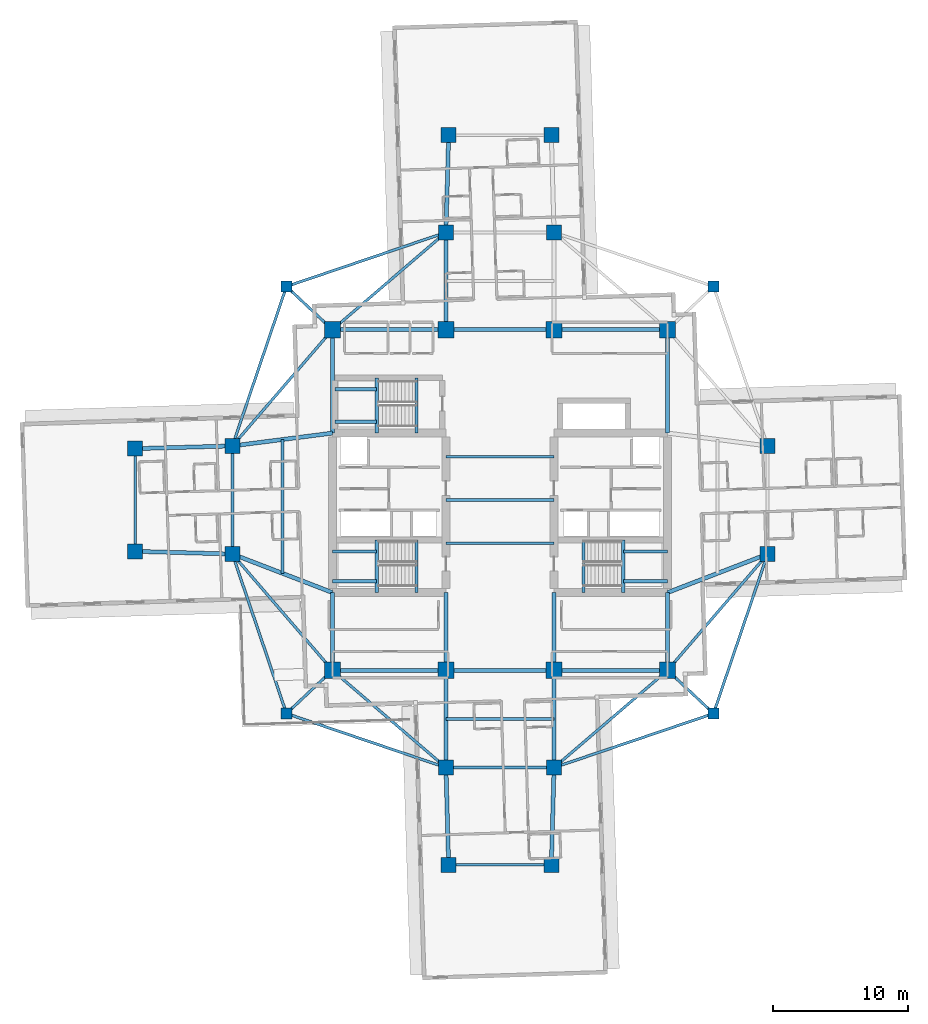
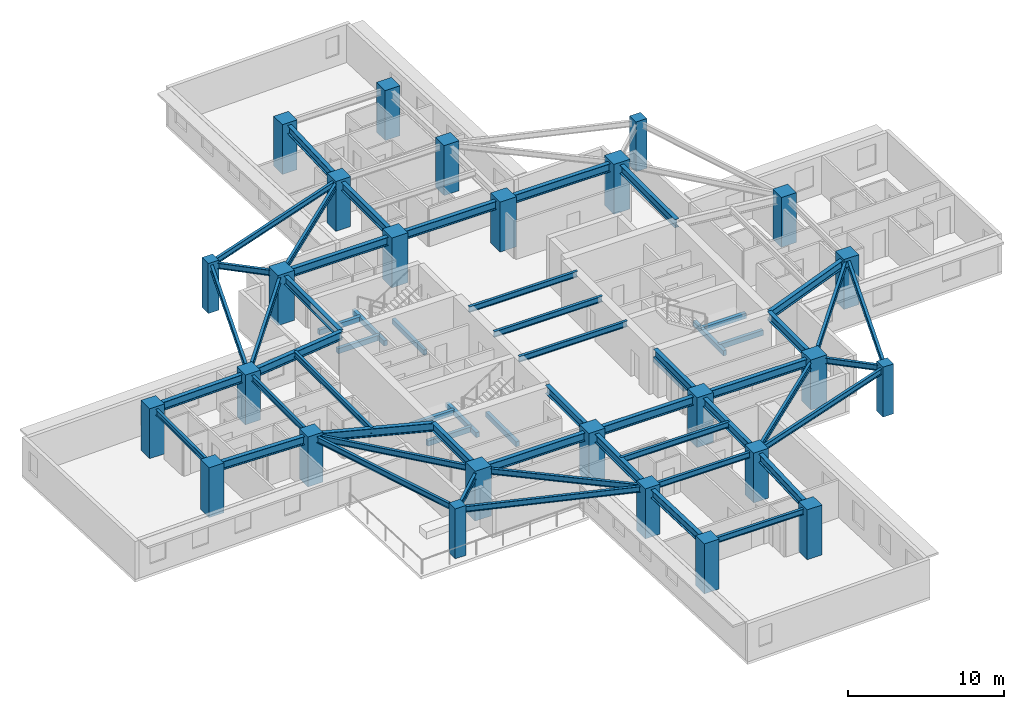
# One storey, part 1 of 14: 59 beams, 26 columns.
"""IFC4 building model written with IfcOpenShell, lengths in metres."""

from ifc_helpers import new_model, si_unit, direction, frame, origin, origin_2d, place, context, subcontext, project, spatial, rectangle, i_section, extrude, material, material_profile, profile_set, type_object, element, save


model = new_model("IFC4")

# Units and contexts
model_context = context("Model", 3, precision=1e-05, world=origin(), true_north=direction((0.0, 1.0)))
body_context = subcontext(model_context, "Body", "Model", "MODEL_VIEW")
ifc_project = project(units=[si_unit("LENGTHUNIT", "METRE"), si_unit("AREAUNIT", "SQUARE_METRE"), si_unit("VOLUMEUNIT", "CUBIC_METRE"), si_unit("PLANEANGLEUNIT", "RADIAN"), si_unit("MASSUNIT", "GRAM", prefix="KILO")], contexts=[model_context])

# Site, building, storey
site_placement = place(None, origin())
site = spatial("IfcSite", under=ifc_project, at=site_placement, CompositionType="ELEMENT")
building_placement = place(site_placement, origin())
building = spatial("IfcBuilding", under=site, at=building_placement, Name="Qingluan Cross Belvedere", CompositionType="ELEMENT")
storey_placement = place(building_placement, frame((0.0, 0.0, 112.5)))
storey = spatial("IfcBuildingStorey", under=building, at=storey_placement, Name="L28", CompositionType="ELEMENT", Elevation=112.5)

# Columns
ifc_material_1 = material(Name="Concrete C60", Category="concrete")
ifc_material_profile_1 = material_profile(ifc_material_1, rectangle(XDim=1.10009765625, YDim=1.10009765625, at=origin_2d()), Name="RC1100x1100")
ifc_profile_set_1 = profile_set([ifc_material_profile_1], Name="Concrete C60")
column_type_1 = type_object("IfcColumnType", Name="Column_RC1100x1100", PredefinedType="COLUMN", material=ifc_profile_set_1)
for number, where, z_axis, x_axis, name in (
    (1, (19.800048828125, -4.0, 0.0), (0.0, 0.0, 1.0), (1.0, 0.0, 0.0), "Arm column L28-EIA"),
    (2, (19.800048828125, 4.0, 0.0), (0.0, 0.0, 1.0), (1.0, 0.0, 0.0), "Arm column L28-EIB"),
    (3, (-19.800048828125, -4.0, 0.0), (0.0, 0.0, 1.0), (1.0, 0.0, 0.0), "Arm column L28-WIA"),
    (4, (-19.800048828125, 4.0, 0.0), (0.0, 0.0, 1.0), (1.0, 0.0, 0.0), "Arm column L28-WIB"),
    (5, (-4.0, -19.800048828125, 0.0), (0.0, 0.0, 1.0), (1.0, 0.0, 0.0), "Arm column L28-SIA"),
    (6, (4.0, -19.800048828125, 0.0), (0.0, 0.0, 1.0), (1.0, 0.0, 0.0), "Arm column L28-SIB"),
    (7, (-4.0, 19.800048828125, 0.0), (0.0, 0.0, 1.0), (1.0, 0.0, 0.0), "Arm column L28-NIA"),
    (8, (4.0, 19.800048828125, 0.0), (0.0, 0.0, 1.0), (1.0, 0.0, 0.0), "Arm column L28-NIB"),
    (9, (-27.0, -3.800048828125, 0.0), (0.0, 0.0, 1.0), (1.0, 0.0, 0.0), "Arm column L28-WOA"),
    (10, (-27.0, 3.800048828125, 0.0), (0.0, 0.0, 1.0), (1.0, 0.0, 0.0), "Arm column L28-WOB"),
    (11, (-3.800048828125, -27.0, 0.0), (0.0, 0.0, 1.0), (1.0, 0.0, 0.0), "Arm column L28-SOA"),
    (12, (3.800048828125, -27.0, 0.0), (0.0, 0.0, 1.0), (1.0, 0.0, 0.0), "Arm column L28-SOB"),
    (13, (-3.800048828125, 27.0, 0.0), (0.0, 0.0, 1.0), (1.0, 0.0, 0.0), "Arm column L28-NOA"),
    (14, (3.800048828125, 27.0, 0.0), (0.0, 0.0, 1.0), (1.0, 0.0, 0.0), "Arm column L28-NOB"),
):
    element("IfcColumn", number, at=place(storey_placement, frame(where, z_axis=z_axis, x_axis=x_axis)), inside=storey, type_object=column_type_1, Name=name, PredefinedType="COLUMN", context=body_context, shape_type="SweptSolid", body=[
        extrude(rectangle(XDim=1.10009765625, YDim=1.10009765625, at=origin_2d()), origin(), (0.0, 0.0, 1.0), 3.89990234375),
    ])
ifc_material_2 = material(Name="Concrete C60", Category="concrete")
ifc_material_profile_2 = material_profile(ifc_material_2, rectangle(XDim=1.199951171875, YDim=1.199951171875, at=origin_2d()), Name="RC1200x1200")
ifc_profile_set_2 = profile_set([ifc_material_profile_2], Name="Concrete C60")
column_type_2 = type_object("IfcColumnType", Name="Column_RC1200x1200", PredefinedType="COLUMN", material=ifc_profile_set_2)
for number, where, z_axis, x_axis, name in (
    (15, (-12.39990234375, -12.60009765625, 0.0), (0.0, 0.0, 1.0), (1.0, 0.0, 0.0), "Hub column L28-HC1"),
    (16, (12.39990234375, -12.60009765625, 0.0), (0.0, 0.0, 1.0), (1.0, 0.0, 0.0), "Hub column L28-HC2"),
    (17, (12.39990234375, 12.60009765625, 0.0), (0.0, 0.0, 1.0), (1.0, 0.0, 0.0), "Hub column L28-HC3"),
    (18, (-12.39990234375, 12.60009765625, 0.0), (0.0, 0.0, 1.0), (1.0, 0.0, 0.0), "Hub column L28-HC4"),
    (19, (-4.0, -12.60009765625, 0.0), (0.0, 0.0, 1.0), (1.0, 0.0, 0.0), "Hub column L28-HC5"),
    (20, (4.0, -12.60009765625, 0.0), (0.0, 0.0, 1.0), (1.0, 0.0, 0.0), "Hub column L28-HC6"),
    (21, (4.0, 12.60009765625, 0.0), (0.0, 0.0, 1.0), (1.0, 0.0, 0.0), "Hub column L28-HC7"),
    (22, (-4.0, 12.60009765625, 0.0), (0.0, 0.0, 1.0), (1.0, 0.0, 0.0), "Hub column L28-HC8"),
):
    element("IfcColumn", number, at=place(storey_placement, frame(where, z_axis=z_axis, x_axis=x_axis)), inside=storey, type_object=column_type_2, Name=name, PredefinedType="COLUMN", context=body_context, shape_type="SweptSolid", body=[
        extrude(rectangle(XDim=1.199951171875, YDim=1.199951171875, at=origin_2d()), origin(), (0.0, 0.0, 1.0), 3.89990234375),
    ])
ifc_material_3 = material(Name="Concrete C50", Category="concrete")
ifc_material_profile_3 = material_profile(ifc_material_3, rectangle(XDim=0.800048828125, YDim=0.800048828125, at=origin_2d()), Name="RC800x800")
ifc_profile_set_3 = profile_set([ifc_material_profile_3], Name="Concrete C50")
column_type_3 = type_object("IfcColumnType", Name="Column_RC800x800", PredefinedType="COLUMN", material=ifc_profile_set_3)
for number, where, z_axis, x_axis, name in (
    (23, (15.800048828125, 15.800048828125, 0.0), (0.0, 0.0, 1.0), (1.0, 0.0, 0.0), "Corner column L28-RNE"),
    (24, (-15.800048828125, 15.800048828125, 0.0), (0.0, 0.0, 1.0), (1.0, 0.0, 0.0), "Corner column L28-RNW"),
    (25, (-15.800048828125, -15.800048828125, 0.0), (0.0, 0.0, 1.0), (1.0, 0.0, 0.0), "Corner column L28-RSW"),
    (26, (15.800048828125, -15.800048828125, 0.0), (0.0, 0.0, 1.0), (1.0, 0.0, 0.0), "Corner column L28-RSE"),
):
    element("IfcColumn", number, at=place(storey_placement, frame(where, z_axis=z_axis, x_axis=x_axis)), inside=storey, type_object=column_type_3, Name=name, PredefinedType="COLUMN", context=body_context, shape_type="SweptSolid", body=[
        extrude(rectangle(XDim=0.800048828125, YDim=0.800048828125, at=origin_2d()), origin(), (0.0, 0.0, 1.0), 3.89990234375),
    ])

# Beams
ifc_material_4 = material(Name="Concrete C45", Category="concrete")
ifc_material_profile_4 = material_profile(ifc_material_4, rectangle(XDim=0.25, YDim=0.39990234375, at=origin_2d()), Name="RC250x400")
ifc_profile_set_4 = profile_set([ifc_material_profile_4], Name="Concrete C45")
beam_type_1 = type_object("IfcBeamType", Name="RC_Lintel_RC250x400", PredefinedType="LINTEL", material=ifc_profile_set_4)
for number, where, z_axis, x_axis, name in (
    (27, (-6.179931640625, -6.85009765625, -0.199951171875), (0.0, 1.0, 0.0), (-1.0, 0.0, 0.0), "Stair ST1 landing beam L28"),
    (28, (6.179931640625, -6.85009765625, -0.199951171875), (0.0, 1.0, 0.0), (-1.0, 0.0, 0.0), "Stair ST2 landing beam L28"),
):
    element("IfcBeam", number, at=place(storey_placement, frame(where, z_axis=z_axis, x_axis=x_axis)), inside=storey, type_object=beam_type_1, Name=name, PredefinedType="LINTEL", context=body_context, shape_type="SweptSolid", body=[
        extrude(rectangle(XDim=0.25, YDim=0.39990234375, at=origin_2d()), origin(), (0.0, 0.0, 1.0), 3.89013671875),
    ])
beam_1_placement = place(storey_placement, frame((-6.179931640625, 4.949951171875, -0.199951171875), z_axis=(0.0, 1.0, 0.0), x_axis=(-1.0, 0.0, 0.0)))
element("IfcBeam", 29, at=beam_1_placement, inside=storey, type_object=beam_type_1, Name="Stair ST3 landing beam L28", PredefinedType="LINTEL", context=body_context, shape_type="SweptSolid", body=[
    extrude(rectangle(XDim=0.25, YDim=0.39990234375, at=origin_2d()), origin(), (0.0, 0.0, 1.0), 4.090087890625),
])
beam_2_placement = place(storey_placement, frame((-9.1298828125, -6.85009765625, 1.550048828125), z_axis=(0.0, 1.0, 0.0), x_axis=(-1.0, 0.0, 0.0)))
element("IfcBeam", 30, at=beam_2_placement, inside=storey, type_object=beam_type_1, Name="Stair ST1 beam A L28", PredefinedType="LINTEL", context=body_context, shape_type="SweptSolid", body=[
    extrude(rectangle(XDim=0.25, YDim=0.39990234375, at=origin_2d()), origin(), (0.0, 0.0, 1.0), 3.89013671875),
])
for number, where, z_axis, x_axis, name in (
    (31, (-12.39990234375, -6.0, 1.550048828125), (1.0, 0.0, 0.0), (0.0, 1.0, 0.0), "Stair ST1 beam B L28"),
    (32, (-12.39990234375, -3.81005859375, 1.550048828125), (1.0, 0.0, 0.0), (0.0, 1.0, 0.0), "Stair ST1 beam C L28"),
):
    element("IfcBeam", number, at=place(storey_placement, frame(where, z_axis=z_axis, x_axis=x_axis)), inside=storey, type_object=beam_type_1, Name=name, PredefinedType="LINTEL", context=body_context, shape_type="SweptSolid", body=[
        extrude(rectangle(XDim=0.25, YDim=0.39990234375, at=origin_2d()), origin(), (0.0, 0.0, 1.0), 3.27001953125),
    ])
beam_3_placement = place(storey_placement, frame((9.1298828125, -6.85009765625, 1.550048828125), z_axis=(0.0, 1.0, 0.0), x_axis=(-1.0, 0.0, 0.0)))
element("IfcBeam", 33, at=beam_3_placement, inside=storey, type_object=beam_type_1, Name="Stair ST2 beam A L28", PredefinedType="LINTEL", context=body_context, shape_type="SweptSolid", body=[
    extrude(rectangle(XDim=0.25, YDim=0.39990234375, at=origin_2d()), origin(), (0.0, 0.0, 1.0), 3.89013671875),
])
for number, where, z_axis, x_axis, name in (
    (34, (12.39990234375, -6.0, 1.550048828125), (-1.0, 0.0, 0.0), (0.0, -1.0, 0.0), "Stair ST2 beam B L28"),
    (35, (12.39990234375, -3.81005859375, 1.550048828125), (-1.0, 0.0, 0.0), (0.0, -1.0, 0.0), "Stair ST2 beam C L28"),
):
    element("IfcBeam", number, at=place(storey_placement, frame(where, z_axis=z_axis, x_axis=x_axis)), inside=storey, type_object=beam_type_1, Name=name, PredefinedType="LINTEL", context=body_context, shape_type="SweptSolid", body=[
        extrude(rectangle(XDim=0.25, YDim=0.39990234375, at=origin_2d()), origin(), (0.0, 0.0, 1.0), 3.27001953125),
    ])
beam_4_placement = place(storey_placement, frame((-9.1298828125, 4.949951171875, 1.550048828125), z_axis=(0.0, 1.0, 0.0), x_axis=(-1.0, 0.0, 0.0)))
element("IfcBeam", 36, at=beam_4_placement, inside=storey, type_object=beam_type_1, Name="Stair ST3 beam A L28", PredefinedType="LINTEL", context=body_context, shape_type="SweptSolid", body=[
    extrude(rectangle(XDim=0.25, YDim=0.39990234375, at=origin_2d()), origin(), (0.0, 0.0, 1.0), 4.090087890625),
])
for number, where, z_axis, x_axis, name in (
    (37, (-12.219970703125, 5.800048828125, 1.550048828125), (1.0, 0.0, 0.0), (0.0, 1.0, 0.0), "Stair ST3 beam B L28"),
    (38, (-12.219970703125, 8.18994140625, 1.550048828125), (1.0, 0.0, 0.0), (0.0, 1.0, 0.0), "Stair ST3 beam C L28"),
):
    element("IfcBeam", number, at=place(storey_placement, frame(where, z_axis=z_axis, x_axis=x_axis)), inside=storey, type_object=beam_type_1, Name=name, PredefinedType="LINTEL", context=body_context, shape_type="SweptSolid", body=[
        extrude(rectangle(XDim=0.25, YDim=0.39990234375, at=origin_2d()), origin(), (0.0, 0.0, 1.0), 3.090087890625),
    ])
ifc_material_5 = material(Name="Steel Q420GJB", Category="steel")
ifc_material_profile_5 = material_profile(ifc_material_5, i_section(OverallWidth=0.199951171875, OverallDepth=0.449951171875, WebThickness=0.009033203125, FlangeThickness=0.013916015625, FilletRadius=0.01611328125, at=origin_2d()), Name="HN450x200x9x14")
ifc_profile_set_5 = profile_set([ifc_material_profile_5], Name="Steel Q420GJB")
beam_type_2 = type_object("IfcBeamType", Name="Steel_Beam_HN450x200x9x14", PredefinedType="JOIST", material=ifc_profile_set_5)
beam_5_placement = place(storey_placement, frame((-12.39990234375, 12.60009765625, 3.47509765625), z_axis=(-0.728219948308, 0.685343495546, 0.0), x_axis=(-0.685343495546, -0.728219948308, 0.0)))
element("IfcBeam", 39, at=beam_5_placement, inside=storey, type_object=beam_type_2, Name="Corner beam 1 L28-RNW", PredefinedType="JOIST", context=body_context, shape_type="SweptSolid", body=[
    extrude(i_section(OverallWidth=0.199951171875, OverallDepth=0.449951171875, WebThickness=0.009033203125, FlangeThickness=0.013916015625, FilletRadius=0.01611328125, at=origin_2d()), origin(), (0.0, 0.0, 1.0), 4.669189453125),
])
for number, where, z_axis, x_axis, name in (
    (40, (-15.800048828125, 15.800048828125, 3.47509765625), (0.947066283324, 0.321038089628, 0.0), (-0.321038089628, 0.947066283324, 0.0), "Corner beam 2 L28-RNW"),
    (41, (-15.800048828125, 15.800048828125, 3.47509765625), (-0.321038089628, -0.947066283324, 0.0), (0.947066283324, -0.321038089628, 0.0), "Corner beam 3 L28-RNW"),
):
    element("IfcBeam", number, at=place(storey_placement, frame(where, z_axis=z_axis, x_axis=x_axis)), inside=storey, type_object=beam_type_2, Name=name, PredefinedType="JOIST", context=body_context, shape_type="SweptSolid", body=[
        extrude(i_section(OverallWidth=0.199951171875, OverallDepth=0.449951171875, WebThickness=0.009033203125, FlangeThickness=0.013916015625, FilletRadius=0.01611328125, at=origin_2d()), origin(), (0.0, 0.0, 1.0), 12.45947265625),
    ])
beam_6_placement = place(storey_placement, frame((-12.39990234375, 12.60009765625, 3.47509765625), z_axis=(-0.652245077546, -0.75800815221, 0.0), x_axis=(0.75800815221, -0.652245077546, 0.0)))
element("IfcBeam", 42, at=beam_6_placement, inside=storey, type_object=beam_type_2, Name="Corner beam 4 L28-RNW", PredefinedType="JOIST", context=body_context, shape_type="SweptSolid", body=[
    extrude(i_section(OverallWidth=0.199951171875, OverallDepth=0.449951171875, WebThickness=0.009033203125, FlangeThickness=0.013916015625, FilletRadius=0.01611328125, at=origin_2d()), origin(), (0.0, 0.0, 1.0), 11.345703125),
])
beam_7_placement = place(storey_placement, frame((-12.39990234375, 12.60009765625, 3.47509765625), z_axis=(0.759255044656, 0.650793190779, 0.0), x_axis=(-0.650793190779, 0.759255044656, 0.0)))
element("IfcBeam", 43, at=beam_7_placement, inside=storey, type_object=beam_type_2, Name="Corner beam 5 L28-RNW", PredefinedType="JOIST", context=body_context, shape_type="SweptSolid", body=[
    extrude(i_section(OverallWidth=0.199951171875, OverallDepth=0.449951171875, WebThickness=0.009033203125, FlangeThickness=0.013916015625, FilletRadius=0.01611328125, at=origin_2d()), origin(), (0.0, 0.0, 1.0), 11.063232421875),
])
beam_8_placement = place(storey_placement, frame((-12.39990234375, -12.60009765625, 3.47509765625), z_axis=(-0.728219948308, -0.685343495546, 0.0), x_axis=(0.685343495546, -0.728219948308, 0.0)))
element("IfcBeam", 44, at=beam_8_placement, inside=storey, type_object=beam_type_2, Name="Corner beam 1 L28-RSW", PredefinedType="JOIST", context=body_context, shape_type="SweptSolid", body=[
    extrude(i_section(OverallWidth=0.199951171875, OverallDepth=0.449951171875, WebThickness=0.009033203125, FlangeThickness=0.013916015625, FilletRadius=0.01611328125, at=origin_2d()), origin(), (0.0, 0.0, 1.0), 4.669189453125),
])
for number, where, z_axis, x_axis, name in (
    (45, (-15.800048828125, -15.800048828125, 3.47509765625), (0.947066283324, -0.321038089628, 0.0), (0.321038089628, 0.947066283324, 0.0), "Corner beam 2 L28-RSW"),
    (46, (-15.800048828125, -15.800048828125, 3.47509765625), (-0.321038089628, 0.947066283324, 0.0), (-0.947066283324, -0.321038089628, 0.0), "Corner beam 3 L28-RSW"),
):
    element("IfcBeam", number, at=place(storey_placement, frame(where, z_axis=z_axis, x_axis=x_axis)), inside=storey, type_object=beam_type_2, Name=name, PredefinedType="JOIST", context=body_context, shape_type="SweptSolid", body=[
        extrude(i_section(OverallWidth=0.199951171875, OverallDepth=0.449951171875, WebThickness=0.009033203125, FlangeThickness=0.013916015625, FilletRadius=0.01611328125, at=origin_2d()), origin(), (0.0, 0.0, 1.0), 12.45947265625),
    ])
beam_9_placement = place(storey_placement, frame((-12.39990234375, -12.60009765625, 3.47509765625), z_axis=(-0.652245077546, 0.75800815221, 0.0), x_axis=(-0.75800815221, -0.652245077546, 0.0)))
element("IfcBeam", 47, at=beam_9_placement, inside=storey, type_object=beam_type_2, Name="Corner beam 4 L28-RSW", PredefinedType="JOIST", context=body_context, shape_type="SweptSolid", body=[
    extrude(i_section(OverallWidth=0.199951171875, OverallDepth=0.449951171875, WebThickness=0.009033203125, FlangeThickness=0.013916015625, FilletRadius=0.01611328125, at=origin_2d()), origin(), (0.0, 0.0, 1.0), 11.345703125),
])
beam_10_placement = place(storey_placement, frame((-12.39990234375, -12.60009765625, 3.47509765625), z_axis=(0.759255044656, -0.650793190779, 0.0), x_axis=(0.650793190779, 0.759255044656, 0.0)))
element("IfcBeam", 48, at=beam_10_placement, inside=storey, type_object=beam_type_2, Name="Corner beam 5 L28-RSW", PredefinedType="JOIST", context=body_context, shape_type="SweptSolid", body=[
    extrude(i_section(OverallWidth=0.199951171875, OverallDepth=0.449951171875, WebThickness=0.009033203125, FlangeThickness=0.013916015625, FilletRadius=0.01611328125, at=origin_2d()), origin(), (0.0, 0.0, 1.0), 11.063232421875),
])
beam_11_placement = place(storey_placement, frame((12.39990234375, -12.60009765625, 3.455078125), z_axis=(0.728219948308, -0.685343495546, 0.0), x_axis=(0.685343495546, 0.728219948308, 0.0)))
element("IfcBeam", 49, at=beam_11_placement, inside=storey, type_object=beam_type_2, Name="Corner beam 1 L28-RSE", PredefinedType="JOIST", context=body_context, shape_type="SweptSolid", body=[
    extrude(i_section(OverallWidth=0.199951171875, OverallDepth=0.449951171875, WebThickness=0.009033203125, FlangeThickness=0.013916015625, FilletRadius=0.01611328125, at=origin_2d()), origin(), (0.0, 0.0, 1.0), 4.669189453125),
])
for number, where, z_axis, x_axis, name in (
    (50, (15.800048828125, -15.800048828125, 3.455078125), (-0.947066283324, -0.321038089628, 0.0), (0.321038089628, -0.947066283324, 0.0), "Corner beam 2 L28-RSE"),
    (51, (15.800048828125, -15.800048828125, 3.455078125), (0.321038089628, 0.947066283324, 0.0), (-0.947066283324, 0.321038089628, 0.0), "Corner beam 3 L28-RSE"),
):
    element("IfcBeam", number, at=place(storey_placement, frame(where, z_axis=z_axis, x_axis=x_axis)), inside=storey, type_object=beam_type_2, Name=name, PredefinedType="JOIST", context=body_context, shape_type="SweptSolid", body=[
        extrude(i_section(OverallWidth=0.199951171875, OverallDepth=0.449951171875, WebThickness=0.009033203125, FlangeThickness=0.013916015625, FilletRadius=0.01611328125, at=origin_2d()), origin(), (0.0, 0.0, 1.0), 12.45947265625),
    ])
beam_12_placement = place(storey_placement, frame((12.39990234375, -12.60009765625, 3.455078125), z_axis=(0.652245077546, 0.75800815221, 0.0), x_axis=(-0.75800815221, 0.652245077546, 0.0)))
element("IfcBeam", 52, at=beam_12_placement, inside=storey, type_object=beam_type_2, Name="Corner beam 4 L28-RSE", PredefinedType="JOIST", context=body_context, shape_type="SweptSolid", body=[
    extrude(i_section(OverallWidth=0.199951171875, OverallDepth=0.449951171875, WebThickness=0.009033203125, FlangeThickness=0.013916015625, FilletRadius=0.01611328125, at=origin_2d()), origin(), (0.0, 0.0, 1.0), 11.345703125),
])
beam_13_placement = place(storey_placement, frame((12.39990234375, -12.60009765625, 3.455078125), z_axis=(-0.759255044656, -0.650793190779, 0.0), x_axis=(0.650793190779, -0.759255044656, 0.0)))
element("IfcBeam", 53, at=beam_13_placement, inside=storey, type_object=beam_type_2, Name="Corner beam 5 L28-RSE", PredefinedType="JOIST", context=body_context, shape_type="SweptSolid", body=[
    extrude(i_section(OverallWidth=0.199951171875, OverallDepth=0.449951171875, WebThickness=0.009033203125, FlangeThickness=0.013916015625, FilletRadius=0.01611328125, at=origin_2d()), origin(), (0.0, 0.0, 1.0), 11.063232421875),
])
for number, where, z_axis, x_axis, name in (
    (54, (-4.0, -3.199951171875, 3.47509765625), (1.0, 0.0, 0.0), (0.0, 1.0, 0.0), "Hall beam L28-CH1"),
    (55, (-4.0, 0.0, 3.47509765625), (1.0, 0.0, 0.0), (0.0, 1.0, 0.0), "Hall beam L28-CH2"),
    (56, (-4.0, 3.199951171875, 3.47509765625), (1.0, 0.0, 0.0), (0.0, 1.0, 0.0), "Hall beam L28-CH3"),
    (57, (-19.800048828125, -4.0, 3.47509765625), (0.0, 1.0, 0.0), (-1.0, 0.0, 0.0), "Arm W tie L28"),
):
    element("IfcBeam", number, at=place(storey_placement, frame(where, z_axis=z_axis, x_axis=x_axis)), inside=storey, type_object=beam_type_2, Name=name, PredefinedType="JOIST", context=body_context, shape_type="SweptSolid", body=[
        extrude(i_section(OverallWidth=0.199951171875, OverallDepth=0.449951171875, WebThickness=0.009033203125, FlangeThickness=0.013916015625, FilletRadius=0.01611328125, at=origin_2d()), origin(), (0.0, 0.0, 1.0), 8.0),
    ])
beam_14_placement = place(storey_placement, frame((-16.10009765625, -5.425048828125, 3.47509765625), z_axis=(0.0, 1.0, 0.0), x_axis=(-1.0, 0.0, 0.0)))
element("IfcBeam", 58, at=beam_14_placement, inside=storey, type_object=beam_type_2, Name="Arm W beam L28", PredefinedType="JOIST", context=body_context, shape_type="SweptSolid", body=[
    extrude(i_section(OverallWidth=0.199951171875, OverallDepth=0.449951171875, WebThickness=0.009033203125, FlangeThickness=0.013916015625, FilletRadius=0.01611328125, at=origin_2d()), origin(), (0.0, 0.0, 1.0), 9.900146484375),
])
beam_15_placement = place(storey_placement, frame((-27.0, -3.800048828125, 3.47509765625), z_axis=(0.0, 1.0, 0.0), x_axis=(-1.0, 0.0, 0.0)))
element("IfcBeam", 59, at=beam_15_placement, inside=storey, type_object=beam_type_2, Name="Arm W tip transverse beam L28", PredefinedType="JOIST", context=body_context, shape_type="SweptSolid", body=[
    extrude(i_section(OverallWidth=0.199951171875, OverallDepth=0.449951171875, WebThickness=0.009033203125, FlangeThickness=0.013916015625, FilletRadius=0.01611328125, at=origin_2d()), origin(), (0.0, 0.0, 1.0), 7.60009765625),
])
for number, where, z_axis, x_axis, name in (
    (60, (-4.0, -19.800048828125, 3.47509765625), (1.0, 0.0, 0.0), (0.0, 1.0, 0.0), "Arm S tie L28"),
    (61, (-4.0, -16.199951171875, 3.47509765625), (1.0, 0.0, 0.0), (0.0, 1.0, 0.0), "Arm S beam L28"),
):
    element("IfcBeam", number, at=place(storey_placement, frame(where, z_axis=z_axis, x_axis=x_axis)), inside=storey, type_object=beam_type_2, Name=name, PredefinedType="JOIST", context=body_context, shape_type="SweptSolid", body=[
        extrude(i_section(OverallWidth=0.199951171875, OverallDepth=0.449951171875, WebThickness=0.009033203125, FlangeThickness=0.013916015625, FilletRadius=0.01611328125, at=origin_2d()), origin(), (0.0, 0.0, 1.0), 8.0),
    ])
beam_16_placement = place(storey_placement, frame((-3.800048828125, -27.0, 3.47509765625), z_axis=(1.0, 0.0, 0.0), x_axis=(0.0, 1.0, 0.0)))
element("IfcBeam", 62, at=beam_16_placement, inside=storey, type_object=beam_type_2, Name="Arm S tip transverse beam L28", PredefinedType="JOIST", context=body_context, shape_type="SweptSolid", body=[
    extrude(i_section(OverallWidth=0.199951171875, OverallDepth=0.449951171875, WebThickness=0.009033203125, FlangeThickness=0.013916015625, FilletRadius=0.01611328125, at=origin_2d()), origin(), (0.0, 0.0, 1.0), 7.60009765625),
])
ifc_material_6 = material(Name="Steel Q420GJB", Category="steel")
ifc_material_profile_6 = material_profile(ifc_material_6, i_section(OverallWidth=0.300048828125, OverallDepth=0.64990234375, WebThickness=0.014404296875, FlangeThickness=0.02587890625, FilletRadius=0.027099609375, at=origin_2d()), Name="HEB650")
ifc_profile_set_6 = profile_set([ifc_material_profile_6], Name="Steel Q420GJB")
beam_type_3 = type_object("IfcBeamType", Name="Steel_Girder_HEB650", PredefinedType="USERDEFINED", material=ifc_profile_set_6)
beam_17_placement = place(storey_placement, frame((-12.39990234375, -12.60009765625, 3.375), z_axis=(1.0, 0.0, 0.0), x_axis=(0.0, 1.0, 0.0)))
element("IfcBeam", 63, at=beam_17_placement, inside=storey, type_object=beam_type_3, Name="Hub girder L28-HG-S1", ObjectType="GIRDER", PredefinedType="USERDEFINED", context=body_context, shape_type="SweptSolid", body=[
    extrude(i_section(OverallWidth=0.300048828125, OverallDepth=0.64990234375, WebThickness=0.014404296875, FlangeThickness=0.02587890625, FilletRadius=0.027099609375, at=origin_2d()), origin(), (0.0, 0.0, 1.0), 8.39990234375),
])
beam_18_placement = place(storey_placement, frame((-4.0, -12.60009765625, 3.375), z_axis=(1.0, 0.0, 0.0), x_axis=(0.0, 1.0, 0.0)))
element("IfcBeam", 64, at=beam_18_placement, inside=storey, type_object=beam_type_3, Name="Hub girder L28-HG-S2", ObjectType="GIRDER", PredefinedType="USERDEFINED", context=body_context, shape_type="SweptSolid", body=[
    extrude(i_section(OverallWidth=0.300048828125, OverallDepth=0.64990234375, WebThickness=0.014404296875, FlangeThickness=0.02587890625, FilletRadius=0.027099609375, at=origin_2d()), origin(), (0.0, 0.0, 1.0), 8.0),
])
for number, where, z_axis, x_axis, name in (
    (65, (4.0, -12.60009765625, 3.375), (1.0, 0.0, 0.0), (0.0, 1.0, 0.0), "Hub girder L28-HG-S3"),
    (66, (-12.39990234375, 12.60009765625, 3.375), (1.0, 0.0, 0.0), (0.0, 1.0, 0.0), "Hub girder L28-HG-N1"),
):
    element("IfcBeam", number, at=place(storey_placement, frame(where, z_axis=z_axis, x_axis=x_axis)), inside=storey, type_object=beam_type_3, Name=name, ObjectType="GIRDER", PredefinedType="USERDEFINED", context=body_context, shape_type="SweptSolid", body=[
        extrude(i_section(OverallWidth=0.300048828125, OverallDepth=0.64990234375, WebThickness=0.014404296875, FlangeThickness=0.02587890625, FilletRadius=0.027099609375, at=origin_2d()), origin(), (0.0, 0.0, 1.0), 8.39990234375),
    ])
beam_19_placement = place(storey_placement, frame((-4.0, 12.60009765625, 3.375), z_axis=(1.0, 0.0, 0.0), x_axis=(0.0, 1.0, 0.0)))
element("IfcBeam", 67, at=beam_19_placement, inside=storey, type_object=beam_type_3, Name="Hub girder L28-HG-N2", ObjectType="GIRDER", PredefinedType="USERDEFINED", context=body_context, shape_type="SweptSolid", body=[
    extrude(i_section(OverallWidth=0.300048828125, OverallDepth=0.64990234375, WebThickness=0.014404296875, FlangeThickness=0.02587890625, FilletRadius=0.027099609375, at=origin_2d()), origin(), (0.0, 0.0, 1.0), 8.0),
])
beam_20_placement = place(storey_placement, frame((4.0, 12.60009765625, 3.375), z_axis=(1.0, 0.0, 0.0), x_axis=(0.0, 1.0, 0.0)))
element("IfcBeam", 68, at=beam_20_placement, inside=storey, type_object=beam_type_3, Name="Hub girder L28-HG-N3", ObjectType="GIRDER", PredefinedType="USERDEFINED", context=body_context, shape_type="SweptSolid", body=[
    extrude(i_section(OverallWidth=0.300048828125, OverallDepth=0.64990234375, WebThickness=0.014404296875, FlangeThickness=0.02587890625, FilletRadius=0.027099609375, at=origin_2d()), origin(), (0.0, 0.0, 1.0), 8.39990234375),
])
beam_21_placement = place(storey_placement, frame((-12.39990234375, -12.60009765625, 3.375), z_axis=(0.0, 1.0, 0.0), x_axis=(-1.0, 0.0, 0.0)))
element("IfcBeam", 69, at=beam_21_placement, inside=storey, type_object=beam_type_3, Name="Hub girder L28-HG-W1", ObjectType="GIRDER", PredefinedType="USERDEFINED", context=body_context, shape_type="SweptSolid", body=[
    extrude(i_section(OverallWidth=0.300048828125, OverallDepth=0.64990234375, WebThickness=0.014404296875, FlangeThickness=0.02587890625, FilletRadius=0.027099609375, at=origin_2d()), origin(), (0.0, 0.0, 1.0), 5.75),
])
beam_22_placement = place(storey_placement, frame((-12.39990234375, 4.949951171875, 3.375), z_axis=(0.0, 1.0, 0.0), x_axis=(-1.0, 0.0, 0.0)))
element("IfcBeam", 70, at=beam_22_placement, inside=storey, type_object=beam_type_3, Name="Hub girder L28-HG-W2", ObjectType="GIRDER", PredefinedType="USERDEFINED", context=body_context, shape_type="SweptSolid", body=[
    extrude(i_section(OverallWidth=0.300048828125, OverallDepth=0.64990234375, WebThickness=0.014404296875, FlangeThickness=0.02587890625, FilletRadius=0.027099609375, at=origin_2d()), origin(), (0.0, 0.0, 1.0), 7.650146484375),
])
beam_23_placement = place(storey_placement, frame((12.39990234375, -12.60009765625, 3.375), z_axis=(0.0, 1.0, 0.0), x_axis=(-1.0, 0.0, 0.0)))
element("IfcBeam", 71, at=beam_23_placement, inside=storey, type_object=beam_type_3, Name="Hub girder L28-HG-E1", ObjectType="GIRDER", PredefinedType="USERDEFINED", context=body_context, shape_type="SweptSolid", body=[
    extrude(i_section(OverallWidth=0.300048828125, OverallDepth=0.64990234375, WebThickness=0.014404296875, FlangeThickness=0.02587890625, FilletRadius=0.027099609375, at=origin_2d()), origin(), (0.0, 0.0, 1.0), 5.75),
])
beam_24_placement = place(storey_placement, frame((12.39990234375, 4.949951171875, 3.375), z_axis=(0.0, 1.0, 0.0), x_axis=(-1.0, 0.0, 0.0)))
element("IfcBeam", 72, at=beam_24_placement, inside=storey, type_object=beam_type_3, Name="Hub girder L28-HG-E2", ObjectType="GIRDER", PredefinedType="USERDEFINED", context=body_context, shape_type="SweptSolid", body=[
    extrude(i_section(OverallWidth=0.300048828125, OverallDepth=0.64990234375, WebThickness=0.014404296875, FlangeThickness=0.02587890625, FilletRadius=0.027099609375, at=origin_2d()), origin(), (0.0, 0.0, 1.0), 7.650146484375),
])
for number, where, z_axis, x_axis, name in (
    (73, (-4.0, -12.60009765625, 3.375), (0.0, 1.0, 0.0), (-1.0, 0.0, 0.0), "Hub girder L28-HG-CW"),
    (74, (4.0, -12.60009765625, 3.375), (0.0, 1.0, 0.0), (-1.0, 0.0, 0.0), "Hub girder L28-HG-CE"),
):
    element("IfcBeam", number, at=place(storey_placement, frame(where, z_axis=z_axis, x_axis=x_axis)), inside=storey, type_object=beam_type_3, Name=name, ObjectType="GIRDER", PredefinedType="USERDEFINED", context=body_context, shape_type="SweptSolid", body=[
        extrude(i_section(OverallWidth=0.300048828125, OverallDepth=0.64990234375, WebThickness=0.014404296875, FlangeThickness=0.02587890625, FilletRadius=0.027099609375, at=origin_2d()), origin(), (0.0, 0.0, 1.0), 5.75),
    ])
for number, where, z_axis, x_axis, name in (
    (75, (12.39990234375, -6.85009765625, 3.375), (0.933181258889, 0.359406090735, 0.0), (-0.359406090735, 0.933181258889, 0.0), "Arm E radial girder A L28"),
    (76, (-12.39990234375, -6.85009765625, 3.375), (-0.933181258889, 0.359406090735, 0.0), (-0.359406090735, -0.933181258889, 0.0), "Arm W radial girder A L28"),
):
    element("IfcBeam", number, at=place(storey_placement, frame(where, z_axis=z_axis, x_axis=x_axis)), inside=storey, type_object=beam_type_3, Name=name, ObjectType="GIRDER", PredefinedType="USERDEFINED", context=body_context, shape_type="SweptSolid", body=[
        extrude(i_section(OverallWidth=0.300048828125, OverallDepth=0.64990234375, WebThickness=0.014404296875, FlangeThickness=0.02587890625, FilletRadius=0.027099609375, at=origin_2d()), origin(), (0.0, 0.0, 1.0), 7.929931640625),
    ])
beam_25_placement = place(storey_placement, frame((-12.39990234375, 4.949951171875, 3.375), z_axis=(-0.991861120628, -0.12732445714, 0.0), x_axis=(0.12732445714, -0.991861120628, 0.0)))
element("IfcBeam", 77, at=beam_25_placement, inside=storey, type_object=beam_type_3, Name="Arm W radial girder B L28", ObjectType="GIRDER", PredefinedType="USERDEFINED", context=body_context, shape_type="SweptSolid", body=[
    extrude(i_section(OverallWidth=0.300048828125, OverallDepth=0.64990234375, WebThickness=0.014404296875, FlangeThickness=0.02587890625, FilletRadius=0.027099609375, at=origin_2d()), origin(), (0.0, 0.0, 1.0), 7.4609375),
])
for number, where, z_axis, x_axis, name in (
    (78, (-19.800048828125, -4.0, 3.375), (-0.999614603568, 0.027760481514, 0.0), (-0.027760481514, -0.999614603568, 0.0), "Arm W outer radial girder A L28"),
    (79, (-19.800048828125, 4.0, 3.375), (-0.999614603568, -0.027760481514, 0.0), (0.027760481514, -0.999614603568, 0.0), "Arm W outer radial girder B L28"),
):
    element("IfcBeam", number, at=place(storey_placement, frame(where, z_axis=z_axis, x_axis=x_axis)), inside=storey, type_object=beam_type_3, Name=name, ObjectType="GIRDER", PredefinedType="USERDEFINED", context=body_context, shape_type="SweptSolid", body=[
        extrude(i_section(OverallWidth=0.300048828125, OverallDepth=0.64990234375, WebThickness=0.014404296875, FlangeThickness=0.02587890625, FilletRadius=0.027099609375, at=origin_2d()), origin(), (0.0, 0.0, 1.0), 7.20263671875),
    ])
beam_26_placement = place(storey_placement, frame((-4.0, 12.60009765625, 3.375), z_axis=(0.0, 1.0, 0.0), x_axis=(-1.0, 0.0, 0.0)))
element("IfcBeam", 80, at=beam_26_placement, inside=storey, type_object=beam_type_3, Name="Arm N radial girder A L28", ObjectType="GIRDER", PredefinedType="USERDEFINED", context=body_context, shape_type="SweptSolid", body=[
    extrude(i_section(OverallWidth=0.300048828125, OverallDepth=0.64990234375, WebThickness=0.014404296875, FlangeThickness=0.02587890625, FilletRadius=0.027099609375, at=origin_2d()), origin(), (0.0, 0.0, 1.0), 7.199951171875),
])
beam_27_placement = place(storey_placement, frame((-4.0, 19.800048828125, 3.375), z_axis=(0.027760481514, 0.999614603568, 0.0), x_axis=(-0.999614603568, 0.027760481514, 0.0)))
element("IfcBeam", 81, at=beam_27_placement, inside=storey, type_object=beam_type_3, Name="Arm N outer radial girder A L28", ObjectType="GIRDER", PredefinedType="USERDEFINED", context=body_context, shape_type="SweptSolid", body=[
    extrude(i_section(OverallWidth=0.300048828125, OverallDepth=0.64990234375, WebThickness=0.014404296875, FlangeThickness=0.02587890625, FilletRadius=0.027099609375, at=origin_2d()), origin(), (0.0, 0.0, 1.0), 7.20263671875),
])
for number, where, z_axis, x_axis, name in (
    (82, (-4.0, -12.60009765625, 3.375), (0.0, -1.0, 0.0), (1.0, 0.0, 0.0), "Arm S radial girder A L28"),
    (83, (4.0, -12.60009765625, 3.375), (0.0, -1.0, 0.0), (1.0, 0.0, 0.0), "Arm S radial girder B L28"),
):
    element("IfcBeam", number, at=place(storey_placement, frame(where, z_axis=z_axis, x_axis=x_axis)), inside=storey, type_object=beam_type_3, Name=name, ObjectType="GIRDER", PredefinedType="USERDEFINED", context=body_context, shape_type="SweptSolid", body=[
        extrude(i_section(OverallWidth=0.300048828125, OverallDepth=0.64990234375, WebThickness=0.014404296875, FlangeThickness=0.02587890625, FilletRadius=0.027099609375, at=origin_2d()), origin(), (0.0, 0.0, 1.0), 7.199951171875),
    ])
for number, where, z_axis, x_axis, name in (
    (84, (-4.0, -19.800048828125, 3.375), (0.027760481514, -0.999614603568, 0.0), (0.999614603568, 0.027760481514, 0.0), "Arm S outer radial girder A L28"),
    (85, (4.0, -19.800048828125, 3.375), (-0.027760481514, -0.999614603568, 0.0), (0.999614603568, -0.027760481514, 0.0), "Arm S outer radial girder B L28"),
):
    element("IfcBeam", number, at=place(storey_placement, frame(where, z_axis=z_axis, x_axis=x_axis)), inside=storey, type_object=beam_type_3, Name=name, ObjectType="GIRDER", PredefinedType="USERDEFINED", context=body_context, shape_type="SweptSolid", body=[
        extrude(i_section(OverallWidth=0.300048828125, OverallDepth=0.64990234375, WebThickness=0.014404296875, FlangeThickness=0.02587890625, FilletRadius=0.027099609375, at=origin_2d()), origin(), (0.0, 0.0, 1.0), 7.20263671875),
    ])

save(model, "model.ifc")
